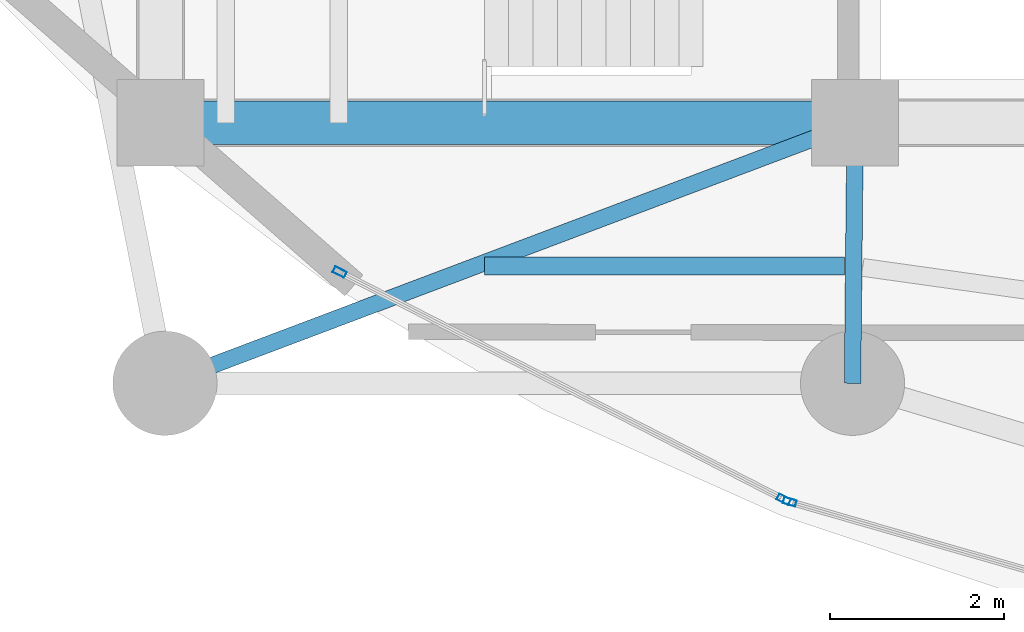
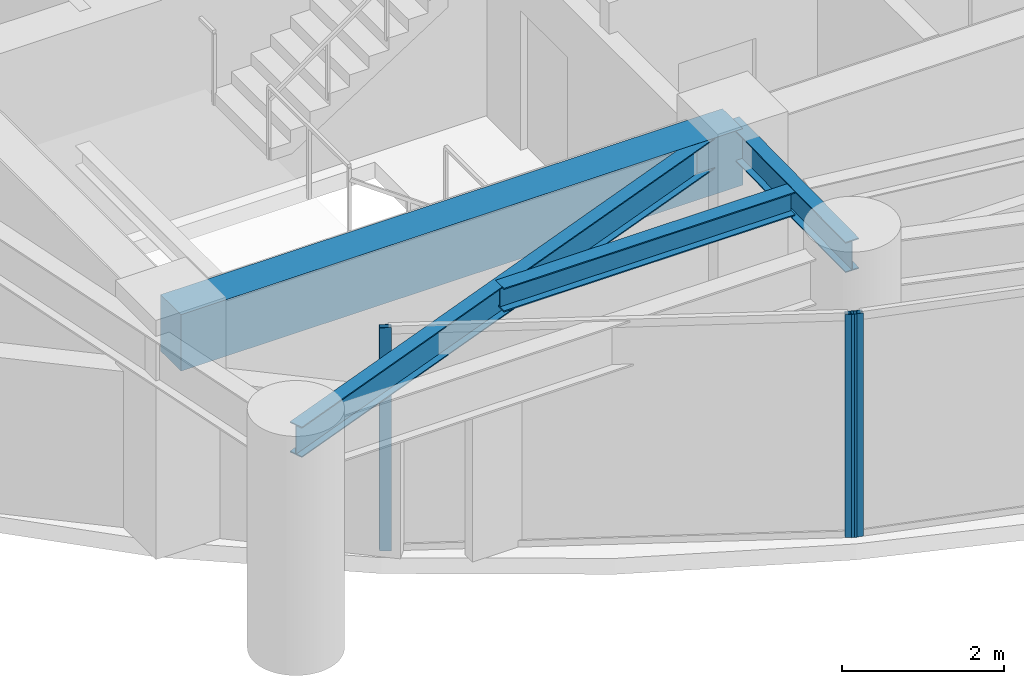
# One storey, part 2 of 30: 4 beams, 3 members, 2 elements without a shape of their own.
"""IFC4 building model written with IfcOpenShell, lengths in metres."""

import ifcopenshell
import ifcopenshell.guid

model = None  # the IFC model being written
_history = None  # IfcOwnerHistory: only IFC2X3 demands one
_inside = {}  # id of a spatial element -> (the spatial element, [elements in it])
_under = {}  # id of a project, library or spatial element -> (it, [spatial elements below it])
_declared = {}  # id of a project -> (the project, [libraries it declares])
_typed = {}  # id of a type object -> (the type object, [elements of that type])
_made_of = {}  # id of a material, layer set ... -> (it, [elements and type objects made of it])


def new_model(schema):
    """Start an empty IFC model of exactly this schema.

    Asked for "IFC4X3", IfcOpenShell would pick the latest addendum, in which some entities
    have other attributes; the version numbers below select the first issue.
    IFC2X3 requires an IfcOwnerHistory on every rooted entity: one is made here for all.
    """
    global model, _history
    if schema == "IFC4X3":
        model = ifcopenshell.file(schema_version=(4, 3, 0, 0))
    else:
        model = ifcopenshell.file(schema=schema)
    _inside.clear()
    _under.clear()
    _declared.clear()
    _typed.clear()
    _made_of.clear()
    _history = None
    if model.schema == "IFC2X3":
        org = make("IfcOrganization", Name="unknown")
        user = make(
            "IfcPersonAndOrganization",
            ThePerson=make("IfcPerson", FamilyName="unknown"),
            TheOrganization=org,
        )
        app = make(
            "IfcApplication",
            ApplicationDeveloper=org,
            Version="unknown",
            ApplicationFullName="unknown",
            ApplicationIdentifier="unknown",
        )
        _history = make(
            "IfcOwnerHistory",
            OwningUser=user,
            OwningApplication=app,
            ChangeAction="ADDED",
            CreationDate=0,
        )
    return model


def make(cls, **values):
    """One entity of the class cls with the attributes given. An attribute that is None is left unset."""
    return model.create_entity(
        cls, **{name: value for name, value in values.items() if value is not None}
    )


def rooted(cls, **values):
    """An entity with a GlobalId (a new one), such as an element, a storey or a relation."""
    return make(cls, GlobalId=ifcopenshell.guid.new(), OwnerHistory=_history, **values)


def si_unit(unit_type, name, prefix=None):
    """IfcSIUnit, for example si_unit("LENGTHUNIT", "METRE", prefix="MILLI")."""
    return make("IfcSIUnit", UnitType=unit_type, Prefix=prefix, Name=name)


def assignment(units):
    """IfcUnitAssignment: the units of a project."""
    return None if units is None else make("IfcUnitAssignment", Units=units)


def point(xyz):
    """IfcCartesianPoint."""
    return None if xyz is None else make("IfcCartesianPoint", Coordinates=xyz)


def direction(xyz):
    """IfcDirection."""
    return None if xyz is None else make("IfcDirection", DirectionRatios=xyz)


def frame(location, z_axis=None, x_axis=None):
    """IfcAxis2Placement3D, a coordinate frame: its origin and axes. An axis left out is left unset."""
    return make(
        "IfcAxis2Placement3D",
        Location=point(location),
        Axis=direction(z_axis),
        RefDirection=direction(x_axis),
    )


def frame_2d(location, x_axis=None):
    """IfcAxis2Placement2D, a coordinate frame in the plane: its origin and x axis."""
    return make(
        "IfcAxis2Placement2D", Location=point(location), RefDirection=direction(x_axis)
    )


def origin():
    """The frame at (0, 0, 0) with its axes left unset."""
    return frame((0.0, 0.0, 0.0))


def origin_2d():
    """The frame at (0, 0) in the plane with its x axis left unset."""
    return frame_2d((0.0, 0.0))


def place(relative_to, where):
    """IfcLocalPlacement: puts the frame where relative to a parent placement (None: the world)."""
    return make(
        "IfcLocalPlacement", PlacementRelTo=relative_to, RelativePlacement=where
    )


def context(
    kind, dimensions, precision=None, world=None, true_north=None, identifier=None
):
    """IfcGeometricRepresentationContext, for example the 3D "Model" context."""
    return make(
        "IfcGeometricRepresentationContext",
        ContextIdentifier=identifier,
        ContextType=kind,
        CoordinateSpaceDimension=dimensions,
        Precision=precision,
        WorldCoordinateSystem=world,
        TrueNorth=true_north,
    )


def subcontext(parent, identifier, kind, view, scale=None):
    """IfcGeometricRepresentationSubContext, for example "Body" below "Model"."""
    return make(
        "IfcGeometricRepresentationSubContext",
        ContextIdentifier=identifier,
        ContextType=kind,
        ParentContext=parent,
        TargetScale=scale,
        TargetView=view,
    )


def project(units=None, contexts=None):
    """IfcProject with its units and contexts."""
    return rooted(
        "IfcProject",
        Name="project",
        RepresentationContexts=contexts,
        UnitsInContext=assignment(units),
    )


def spatial(cls, under=None, at=None, **own):
    """A site, building, storey or space (cls), placed at a placement, below another one or the project."""
    s = rooted(cls, ObjectPlacement=at, **own)
    if under is not None:
        _under.setdefault(under.id(), (under, []))[1].append(s)
    return s


def profile(cls, at=None, kind="AREA", **sizes):
    """A parametric profile (cls). Its sizes go by their IFC names, for example OverallWidth=200.0."""
    return make(cls, ProfileType=kind, Position=at, **sizes)


def rectangle(**sizes):
    """IfcRectangleProfileDef."""
    return profile("IfcRectangleProfileDef", **sizes)


def hollow_rectangle(**sizes):
    """IfcRectangleHollowProfileDef."""
    return profile("IfcRectangleHollowProfileDef", **sizes)


def i_section(**sizes):
    """IfcIShapeProfileDef."""
    return profile("IfcIShapeProfileDef", **sizes)


def extrude(swept, where, along, depth):
    """IfcExtrudedAreaSolid: the profile swept, set in the frame where, extruded along a direction by depth."""
    return make(
        "IfcExtrudedAreaSolid",
        SweptArea=swept,
        Position=where,
        ExtrudedDirection=direction(along),
        Depth=depth,
    )


def shape(context_of_items, identifier, shape_type, items):
    """IfcShapeRepresentation: the items that make up one representation, for example the "Body"."""
    return make(
        "IfcShapeRepresentation",
        ContextOfItems=context_of_items,
        RepresentationIdentifier=identifier,
        RepresentationType=shape_type,
        Items=items,
    )


def material(Name=None, Category=None):
    """IfcMaterial."""
    return make("IfcMaterial", Name=Name, Category=Category)


def layer(
    of_material, thickness, ventilated=None, Name=None, Category=None, Priority=None
):
    """IfcMaterialLayer: one layer of a wall or slab, of a material (None: an air gap)."""
    return make(
        "IfcMaterialLayer",
        Material=of_material,
        LayerThickness=thickness,
        IsVentilated=ventilated,
        Name=Name,
        Category=Category,
        Priority=Priority,
    )


def layer_set(layers, Name=None):
    """IfcMaterialLayerSet."""
    return make("IfcMaterialLayerSet", MaterialLayers=layers, LayerSetName=Name)


def material_profile(
    of_material, cross_section, Name=None, Category=None, Priority=None
):
    """IfcMaterialProfile: a cross section and its material."""
    return make(
        "IfcMaterialProfile",
        Name=Name,
        Material=of_material,
        Profile=cross_section,
        Priority=Priority,
        Category=Category,
    )


def profile_set(profiles, Name=None, composite=None):
    """IfcMaterialProfileSet."""
    return make(
        "IfcMaterialProfileSet",
        Name=Name,
        MaterialProfiles=profiles,
        CompositeProfile=composite,
    )


def made_of(thing, what):
    """Note that an element or type object is made of a material, layer set ...; save() writes the relation."""
    if what is not None:
        _made_of.setdefault(what.id(), (what, []))[1].append(thing)
    return thing


def type_object(cls, material=None, **own):
    """A type object (cls), such as IfcWallType, which elements share."""
    return made_of(rooted(cls, **own), material)


def element(
    cls,
    number,
    at=None,
    inside=None,
    cuts=None,
    type_object=None,
    material=None,
    context=None,
    identifier="Body",
    shape_type=None,
    held_by="IfcProductDefinitionShape",
    body=None,
    shapes=None,
    **own,
):
    """One element of the class cls, such as IfcWall. Its Tag is "e" and its number.

    at: its placement. inside: the storey or other place that contains it. cuts: it is an
    opening in that element (IfcRelVoidsElement). A single representation is given by context,
    identifier, shape_type and body (its items); several are given by shapes. held_by: the class
    of the entity that holds the representations. save() writes the other relations.
    """
    e = rooted(cls, Tag="e%d" % number, ObjectPlacement=at, **own)
    if body is not None:
        shapes = [shape(context, identifier, shape_type, body)]
    if shapes is not None:
        e.Representation = make(held_by, Representations=shapes)
    if inside is not None:
        _inside.setdefault(inside.id(), (inside, []))[1].append(e)
    if cuts is not None:
        rooted(
            "IfcRelVoidsElement", RelatingBuildingElement=cuts, RelatedOpeningElement=e
        )
    if type_object is not None:
        _typed.setdefault(type_object.id(), (type_object, []))[1].append(e)
    return made_of(e, material)


def aggregate(whole, parts):
    """IfcRelAggregates: a whole, such as a stair, and the parts it consists of."""
    return rooted("IfcRelAggregates", RelatingObject=whole, RelatedObjects=parts)


def save(model, path):
    """Write the relations noted so far, then the file.

    IfcRelAggregates (storeys below a building ...), IfcRelContainedInSpatialStructure (elements
    in a storey), IfcRelDefinesByType, IfcRelAssociatesMaterial and IfcRelDeclares: one each for
    every whole, place, type object, material and project.
    """
    for whole, parts in _under.values():
        aggregate(whole, parts)
    for where, things in _inside.values():
        rooted(
            "IfcRelContainedInSpatialStructure",
            RelatedElements=things,
            RelatingStructure=where,
        )
    for kind, things in _typed.values():
        rooted("IfcRelDefinesByType", RelatedObjects=things, RelatingType=kind)
    for what, things in _made_of.values():
        rooted("IfcRelAssociatesMaterial", RelatedObjects=things, RelatingMaterial=what)
    for by, libraries in _declared.values():
        rooted("IfcRelDeclares", RelatingContext=by, RelatedDefinitions=libraries)
    model.write(path)


model = new_model("IFC4")

# Units and contexts
model_context = context("Model", 3, precision=1e-05, world=origin(), true_north=direction((0.0, 1.0)))
body_context = subcontext(model_context, "Body", "Model", "MODEL_VIEW")
ifc_project = project(units=[si_unit("LENGTHUNIT", "METRE"), si_unit("AREAUNIT", "SQUARE_METRE"), si_unit("VOLUMEUNIT", "CUBIC_METRE"), si_unit("PLANEANGLEUNIT", "RADIAN"), si_unit("MASSUNIT", "GRAM", prefix="KILO")], contexts=[model_context])

# Site, building, storey
site_placement = place(None, origin())
site = spatial("IfcSite", under=ifc_project, at=site_placement, CompositionType="ELEMENT")
building_placement = place(site_placement, origin())
building = spatial("IfcBuilding", under=site, at=building_placement, Name="Kazevale Care Tower and Concert Hall", CompositionType="ELEMENT")
storey_placement = place(building_placement, frame((0.0, 0.0, 127.800048828125)))
storey = spatial("IfcBuildingStorey", under=building, at=storey_placement, Name="L33", CompositionType="ELEMENT", Elevation=127.800048828125)

# Curtain wall, member
ifc_material_1 = material(Name="Aluminium 6063-T6 and Low-E Glass", Category="aluminium")
ifc_layer = layer(ifc_material_1, 0.179931640625)
ifc_layer_set = layer_set([ifc_layer], Name="Aluminium 6063-T6 and Low-E Glass")
curtain_wall_type = type_object("IfcCurtainWallType", Name="Sheltered Concave Balcony Curtain Wall CW-5", PredefinedType="NOTDEFINED", material=ifc_layer_set)
curtain_wall_1_placement = place(storey_placement, origin())
curtain_wall_1 = element("IfcCurtainWall", 1, at=curtain_wall_1_placement, inside=storey, type_object=curtain_wall_type, Name="cw:L33:f08", PredefinedType="NOTDEFINED")
ifc_material_2 = material(Name="Aluminium 6063-T6", Category="aluminium")
ifc_material_profile_1 = material_profile(ifc_material_2, hollow_rectangle(XDim=0.074951171875, YDim=0.14990234375, WallThickness=0.00390625, at=origin_2d()), Name="ALU75x150x4")
ifc_profile_set_1 = profile_set([ifc_material_profile_1], Name="Aluminium 6063-T6")
member_type = type_object("IfcMemberType", Name="CW-5 Mullion ALU75x150x4", PredefinedType="MULLION", material=ifc_profile_set_1)
member_1_placement = place(storey_placement, frame((29.2470703125, 19.234619140625, 0.0), z_axis=(0.0, 0.0, 1.0), x_axis=(-0.276290733172, -0.961074102639, 0.0)))
member_1 = element("IfcMember", 2, at=member_1_placement, type_object=member_type, Name="CW-5 mullion 2", PredefinedType="MULLION", context=body_context, shape_type="SweptSolid", body=[
    extrude(hollow_rectangle(XDim=0.074951171875, YDim=0.14990234375, WallThickness=0.00390625, at=origin_2d()), origin(), (0.0, 0.0, 1.0), 3.35986328125),
])
aggregate(curtain_wall_1, [member_1])

# Curtain wall, members
curtain_wall_2_placement = place(storey_placement, origin())
curtain_wall_2 = element("IfcCurtainWall", 3, at=curtain_wall_2_placement, inside=storey, type_object=curtain_wall_type, Name="cw:L33:f09", PredefinedType="NOTDEFINED")
member_2_placement = place(storey_placement, frame((29.177734375, 19.26220703125, 0.0), z_axis=(0.0, 0.0, 1.0), x_axis=(-0.455713236575, -0.890126646051, 0.0)))
member_2 = element("IfcMember", 4, at=member_2_placement, type_object=member_type, Name="CW-5 mullion 1", PredefinedType="MULLION", context=body_context, shape_type="SweptSolid", body=[
    extrude(hollow_rectangle(XDim=0.074951171875, YDim=0.14990234375, WallThickness=0.00390625, at=origin_2d()), origin(), (0.0, 0.0, 1.0), 3.35986328125),
])
member_3_placement = place(storey_placement, frame((24.0625, 21.880859375, 0.0), z_axis=(0.0, 0.0, 1.0), x_axis=(-0.455713236575, -0.890126646051, 0.0)))
member_3 = element("IfcMember", 5, at=member_3_placement, type_object=member_type, Name="CW-5 mullion 2", PredefinedType="MULLION", context=body_context, shape_type="SweptSolid", body=[
    extrude(hollow_rectangle(XDim=0.074951171875, YDim=0.14990234375, WallThickness=0.00390625, at=origin_2d()), origin(), (0.0, 0.0, 1.0), 3.35986328125),
])
aggregate(curtain_wall_2, [member_2, member_3])

# Beams
ifc_material_3 = material(Name="Concrete C60", Category="concrete")
ifc_material_profile_2 = material_profile(ifc_material_3, rectangle(XDim=0.5, YDim=0.85009765625, at=origin_2d()), Name="RC-B500x850")
ifc_profile_set_2 = profile_set([ifc_material_profile_2], Name="Concrete C60")
beam_type_1 = type_object("IfcBeamType", Name="Core Coupling Beam RC500x850", PredefinedType="LINTEL", material=ifc_profile_set_2)
beam_1_placement = place(storey_placement, frame((22.0, 23.60009765625, 2.93505859375), z_axis=(1.0, 0.0, 0.0), x_axis=(0.0, 1.0, 0.0)))
element("IfcBeam", 6, at=beam_1_placement, inside=storey, type_object=beam_type_1, Name="beam:L33:coretie:1", PredefinedType="LINTEL", context=body_context, shape_type="SweptSolid", body=[
    extrude(rectangle(XDim=0.5, YDim=0.85009765625, at=origin_2d()), origin(), (0.0, 0.0, 1.0), 8.0),
])
ifc_material_4 = material(Name="Steel ASTM A572 Gr 50", Category="steel")
ifc_material_profile_3 = material_profile(ifc_material_4, i_section(OverallWidth=0.19091796875, OverallDepth=0.4599609375, WebThickness=0.010009765625, FlangeThickness=0.01611328125, at=origin_2d()), Name="W460x82")
ifc_profile_set_3 = profile_set([ifc_material_profile_3], Name="Steel ASTM A572 Gr 50")
beam_type_2 = type_object("IfcBeamType", Name="Radial Floor Beam W460x82", PredefinedType="BEAM", material=ifc_profile_set_3)
beam_2_placement = place(storey_placement, frame((30.0, 23.60009765625, 3.1298828125), z_axis=(-0.935601002663, -0.353059150592, 0.0), x_axis=(0.353059150592, -0.935601002663, 0.0)))
element("IfcBeam", 7, at=beam_2_placement, inside=storey, type_object=beam_type_2, Name="beam:L33:rad:10", PredefinedType="BEAM", context=body_context, shape_type="SweptSolid", body=[
    extrude(i_section(OverallWidth=0.19091796875, OverallDepth=0.4599609375, WebThickness=0.010009765625, FlangeThickness=0.01611328125, at=origin_2d()), origin(), (0.0, 0.0, 1.0), 8.4970703125),
])
beam_3_placement = place(storey_placement, frame((30.0, 23.60009765625, 3.1298828125), z_axis=(-0.010009264196, -0.99994990606, 0.0), x_axis=(0.99994990606, -0.010009264196, 0.0)))
element("IfcBeam", 8, at=beam_3_placement, inside=storey, type_object=beam_type_2, Name="beam:L33:rad:11", PredefinedType="BEAM", context=body_context, shape_type="SweptSolid", body=[
    extrude(i_section(OverallWidth=0.19091796875, OverallDepth=0.4599609375, WebThickness=0.010009765625, FlangeThickness=0.01611328125, at=origin_2d()), origin(), (0.0, 0.0, 1.0), 3.000244140625),
])
ifc_material_profile_4 = material_profile(ifc_material_4, i_section(OverallWidth=0.205078125, OverallDepth=0.35400390625, WebThickness=0.009521484375, FlangeThickness=0.016845703125, at=origin_2d()), Name="W360x79")
ifc_profile_set_4 = profile_set([ifc_material_profile_4], Name="Steel ASTM A572 Gr 50")
beam_type_3 = type_object("IfcBeamType", Name="Secondary Floor Joist W360x79", PredefinedType="JOIST", material=ifc_profile_set_4)
beam_4_placement = place(storey_placement, frame((25.73291015625, 21.949951171875, 3.182861328125), z_axis=(1.0, 0.0, 0.0), x_axis=(0.0, 1.0, 0.0)))
element("IfcBeam", 9, at=beam_4_placement, inside=storey, type_object=beam_type_3, Name="beam:L33:joist:10", PredefinedType="JOIST", context=body_context, shape_type="SweptSolid", body=[
    extrude(i_section(OverallWidth=0.205078125, OverallDepth=0.35400390625, WebThickness=0.009521484375, FlangeThickness=0.016845703125, at=origin_2d()), origin(), (0.0, 0.0, 1.0), 4.14501953125),
])

save(model, "model.ifc")
